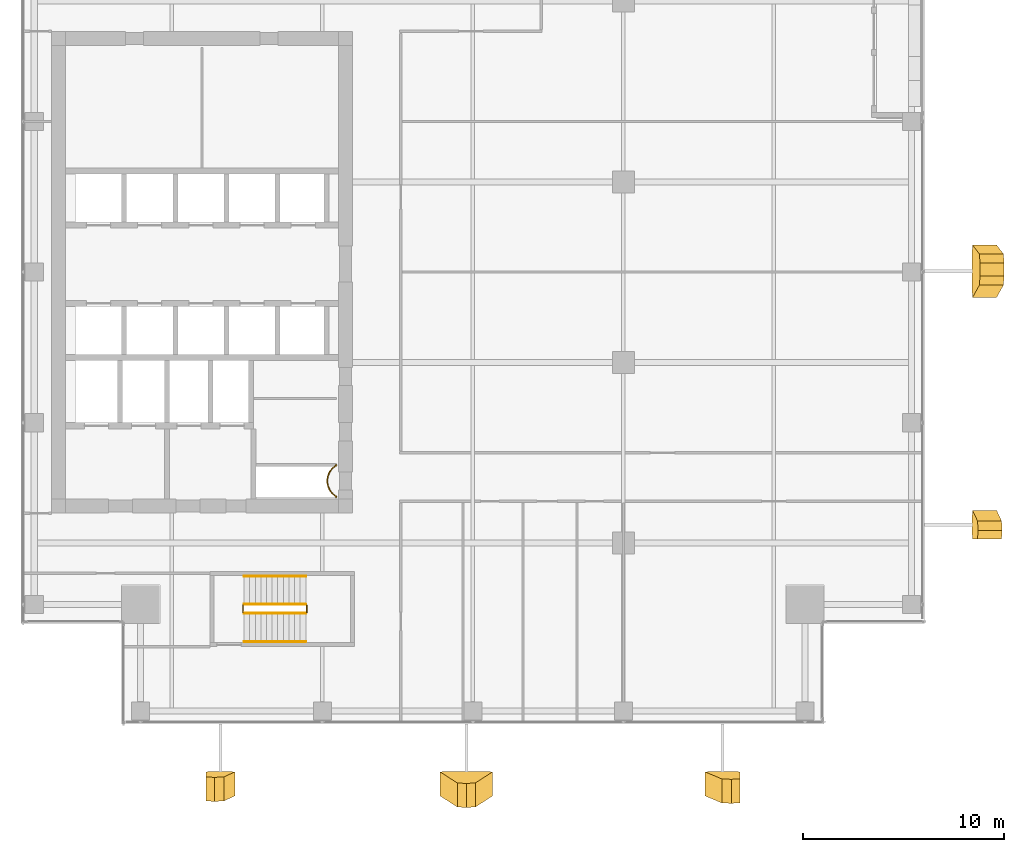
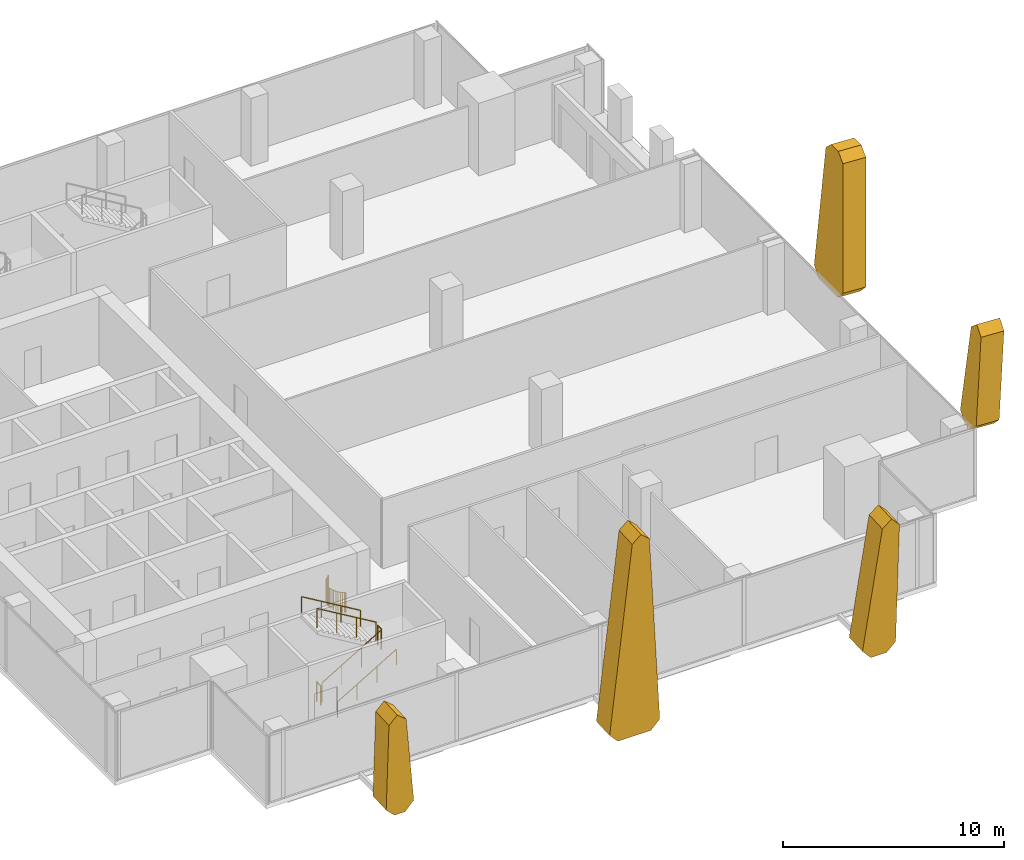
# One storey, part 33 of 35: 7 railings, 5 coverings.
"""IFC4 building model written with IfcOpenShell, lengths in metres."""

from ifc_helpers import new_model, si_unit, direction, frame, origin, origin_2d, place, context, subcontext, project, spatial, polyline, circle, outline, extrude, source, transform, mapped, material, layer, layer_set, type_object, element, save


model = new_model("IFC4")

# Units and contexts
model_context = context("Model", 3, precision=1e-05, world=origin(), true_north=direction((0.0, 1.0)))
body_context = subcontext(model_context, "Body", "Model", "MODEL_VIEW")
ifc_project = project(units=[si_unit("LENGTHUNIT", "METRE"), si_unit("AREAUNIT", "SQUARE_METRE"), si_unit("VOLUMEUNIT", "CUBIC_METRE"), si_unit("PLANEANGLEUNIT", "RADIAN"), si_unit("MASSUNIT", "GRAM", prefix="KILO")], contexts=[model_context])

# Site, building, storey
site_placement = place(None, origin())
site = spatial("IfcSite", under=ifc_project, at=site_placement, CompositionType="ELEMENT")
building_placement = place(site_placement, origin())
building = spatial("IfcBuilding", under=site, at=building_placement, Name="Khomas Fold Tower", CompositionType="ELEMENT")
storey_placement = place(building_placement, frame((0.0, 0.0, 250.199951171875)))
storey = spatial("IfcBuildingStorey", under=building, at=storey_placement, Name="L56", CompositionType="ELEMENT", Elevation=250.199951171875)

# Coverings
ifc_material_1 = material(Name="Natural stone cladding", Category="masonry")
ifc_layer = layer(ifc_material_1, 1.199951171875)
ifc_layer_set = layer_set([ifc_layer], Name="Natural stone cladding")
covering_type = type_object("IfcCoveringType", Name="SK-Karibib marble stone panel", PredefinedType="CLADDING", material=ifc_layer_set)
covering_1_placement = place(storey_placement, frame((14.124755859375, 1.83251953125, 5.723876953125), z_axis=(-6.0942444e-05, 0.998629593259, 0.052334804424), x_axis=(0.763395529203, 0.033851148544, -0.645043692889)))
element("IfcCovering", 1, at=covering_1_placement, inside=storey, type_object=covering_type, Name="OUTER SKIN leaf L56 SS03-1", PredefinedType="CLADDING", context=body_context, shape_type="SweptSolid", body=[
    extrude(outline(polyline([(0.0, 0.0), (0.6188300746228386, 0.0), (4.153694934603606, 3.337468506099035), (4.136004354928938, 4.008618161821389), (3.721504438682084, 4.359338679916604), (3.0869739094527624, 4.306010110684835), (-0.03356914570220959, 0.6179885289122368), (0.0, 0.0)])), origin(), (0.0, 0.0, -1.0), 1.199951171875),
])
covering_2_placement = place(storey_placement, frame((26.675048828125, 1.53076171875, 11.484375), z_axis=(0.0, 0.998630134861, 0.052324504282), x_axis=(0.734675060485, 0.035497946198, -0.677489816393)))
element("IfcCovering", 2, at=covering_2_placement, inside=storey, type_object=covering_type, Name="OUTER SKIN leaf L56 SS06-2", PredefinedType="CLADDING", context=body_context, shape_type="SweptSolid", body=[
    extrude(outline(polyline([(0.0, 0.0), (0.6104553594466284, 0.0), (8.432572768355886, 7.203291996337865), (8.433630118054408, 7.8655125874278875), (7.170010537703181, 9.032373665603561), (6.50996974752057, 8.978676509746673), (-0.048528081037460424, 0.6085234352331338), (0.0, 0.0)])), origin(), (0.0, 0.0, -1.0), 1.199951171875),
])
covering_3_placement = place(storey_placement, frame((39.8779296875, 1.735107421875, 7.583740234375), z_axis=(-5.105585e-06, 0.998630122, 0.052324749477), x_axis=(0.68447632082, 0.038150068445, -0.728036220606)))
element("IfcCovering", 3, at=covering_3_placement, inside=storey, type_object=covering_type, Name="OUTER SKIN leaf L56 SS09-3", PredefinedType="CLADDING", context=body_context, shape_type="SweptSolid", body=[
    extrude(outline(polyline([(0.0, 0.0), (0.6167037902908917, -5.551115123125783e-17), (5.496847089744517, 4.581867958790604), (5.517350373910657, 5.218305338223104), (4.945338057951865, 5.827555123842046), (4.270397482430372, 5.806365967917552), (-0.03755575784653964, 0.6154151031140961), (0.0, 0.0)])), origin(), (0.0, 0.0, -1.0), 1.199951171875),
])
covering_4_placement = place(storey_placement, frame((52.16748046875, 14.124755859375, 5.723876953125), z_axis=(-0.998629593259, -6.0942444e-05, 0.052334804424), x_axis=(-0.033851148544, 0.763395529203, -0.645043692889)))
element("IfcCovering", 4, at=covering_4_placement, inside=storey, type_object=covering_type, Name="OUTER SKIN leaf L56 ES03-1", PredefinedType="CLADDING", context=body_context, shape_type="SweptSolid", body=[
    extrude(outline(polyline([(0.0, 0.0), (0.6188300746228386, 0.0), (4.153694934603606, 3.337468506099035), (4.136004354928938, 4.008618161821389), (3.721504438682084, 4.359338679916604), (3.0869739094527624, 4.306010110684835), (-0.03356914570220959, 0.6179885289122368), (0.0, 0.0)])), origin(), (0.0, 0.0, -1.0), 1.199951171875),
])
covering_5_placement = place(storey_placement, frame((52.2412109375, 27.90087890625, 7.130615234375), z_axis=(-0.998629209789, -1.480905e-06, 0.052342156574), x_axis=(-0.052221105844, 0.067998880941, -0.996317774756)))
element("IfcCovering", 5, at=covering_5_placement, inside=storey, type_object=covering_type, Name="OUTER SKIN leaf L56 ES06-2", PredefinedType="CLADDING", context=body_context, shape_type="SweptSolid", body=[
    extrude(outline(polyline([(0.0, 0.0), (6.674483693267745, -1.1102230246251565e-16), (7.124209896965734, 0.48066804353103265), (7.007270415191673, 2.1964141224611273), (6.48508046947529, 2.609860802267622), (-0.11615640973611062, 1.5317797678649279), (-0.4930285275659321, 1.0570560421208348), (-0.4495663521990251, 0.4193752876292123), (0.0, 0.0)])), origin(), (0.0, 0.0, -1.0), 1.199951171875),
])

# Railings
ifc_material_2 = material(Name="Steel balustrade", Category="steel")
railing_type_1 = type_object("IfcRailingType", Name="Stair guard", PredefinedType="GUARDRAIL", material=ifc_material_2)
shared_shape_1 = source(origin(), body_context, "Body", "SweptSolid", [
    extrude(circle(Radius=0.02392578125, at=origin_2d()), frame((0.0, 0.0, 1.076171875), z_axis=(0.0, 1.0, 0.0), x_axis=(-1.0, 0.0, 0.0)), (0.0, 0.0, 1.0), 0.349853515625),
    extrude(circle(Radius=0.02099609375, at=origin_2d()), origin(), (0.0, 0.0, 1.0), 1.052001953125),
    extrude(circle(Radius=0.02099609375, at=origin_2d()), frame((0.0, 0.349853515625, 0.0)), (0.0, 0.0, 1.0), 1.052001953125),
])
for number, where, name in (
    (6, (18.72998046875, 10.050048828125, 2.0), "L56 ST2 stair guard 2"),
    (7, (15.550048828125, 10.050048828125, 0.0), "L56 ST2 stair guard 4"),
):
    element("IfcRailing", number, at=place(storey_placement, frame(where)), inside=storey, type_object=railing_type_1, Name=name, PredefinedType="GUARDRAIL", context=body_context, shape_type="MappedRepresentation", body=[
        mapped(shared_shape_1, transform((0.0, 0.0, 0.0))),
    ])
shared_shape_2 = source(origin(), body_context, "Body", "SweptSolid", [
    extrude(circle(Radius=0.02392578125, at=origin_2d()), frame((0.0, 0.0, 1.076171875), z_axis=(0.859290745958, 0.0, 0.51148745235), x_axis=(0.0, 1.0, 0.0)), (0.0, 0.0, 1.0), 3.584228515625),
    extrude(circle(Radius=0.02099609375, at=origin_2d()), origin(), (0.0, 0.0, 1.0), 1.052001953125),
    extrude(circle(Radius=0.02099609375, at=origin_2d()), frame((1.026611328125, 0.0, 0.611083984375)), (0.0, 0.0, 1.0), 1.052001953125),
    extrude(circle(Radius=0.02099609375, at=origin_2d()), frame((2.05322265625, 0.0, 1.22216796875)), (0.0, 0.0, 1.0), 1.052001953125),
    extrude(circle(Radius=0.02099609375, at=origin_2d()), frame((3.079833984375, 0.0, 1.833251953125)), (0.0, 0.0, 1.0), 1.052001953125),
])
railing_1_placement = place(storey_placement, frame((15.60009765625, 10.0, 0.166748046875)))
element("IfcRailing", 8, at=railing_1_placement, inside=storey, type_object=railing_type_1, Name="L56 ST2 stair guard 1", PredefinedType="GUARDRAIL", context=body_context, shape_type="MappedRepresentation", body=[
    mapped(shared_shape_2, transform((0.0, 0.0, 0.0))),
])
shared_shape_3 = source(origin(), body_context, "Body", "SweptSolid", [
    extrude(circle(Radius=0.02392578125, at=origin_2d()), frame((0.0, 0.0, 1.076171875), z_axis=(-0.859290745958, 0.0, 0.51148745235), x_axis=(0.0, -1.0, 0.0)), (0.0, 0.0, 1.0), 3.584228515625),
    extrude(circle(Radius=0.02099609375, at=origin_2d()), origin(), (0.0, 0.0, 1.0), 1.052001953125),
    extrude(circle(Radius=0.02099609375, at=origin_2d()), frame((-1.026611328125, 0.0, 0.611083984375)), (0.0, 0.0, 1.0), 1.052001953125),
    extrude(circle(Radius=0.02099609375, at=origin_2d()), frame((-2.05322265625, 0.0, 1.22216796875)), (0.0, 0.0, 1.0), 1.052001953125),
    extrude(circle(Radius=0.02099609375, at=origin_2d()), frame((-3.079833984375, 0.0, 1.833251953125)), (0.0, 0.0, 1.0), 1.052001953125),
])
railing_2_placement = place(storey_placement, frame((18.679931640625, 10.449951171875, 2.166748046875)))
element("IfcRailing", 9, at=railing_2_placement, inside=storey, type_object=railing_type_1, Name="L56 ST2 stair guard 3", PredefinedType="GUARDRAIL", context=body_context, shape_type="MappedRepresentation", body=[
    mapped(shared_shape_3, transform((0.0, 0.0, 0.0))),
])
ifc_material_3 = material(Name="Steel handrail", Category="steel")
railing_type_2 = type_object("IfcRailingType", Name="Stair handrail", PredefinedType="HANDRAIL", material=ifc_material_3)
shared_shape_4 = source(origin(), body_context, "Body", "SweptSolid", [
    extrude(circle(Radius=0.02392578125, at=origin_2d()), frame((0.0, 0.0, 0.8759765625), z_axis=(0.859290745958, 0.0, 0.51148745235), x_axis=(0.0, 1.0, 0.0)), (0.0, 0.0, 1.0), 3.584228515625),
    extrude(circle(Radius=0.02099609375, at=origin_2d()), origin(), (0.0, 0.0, 1.0), 0.851806640625),
    extrude(circle(Radius=0.02099609375, at=origin_2d()), frame((1.026611328125, 0.0, 0.611083984375)), (0.0, 0.0, 1.0), 0.851806640625),
    extrude(circle(Radius=0.02099609375, at=origin_2d()), frame((2.05322265625, 0.0, 1.22216796875)), (0.0, 0.0, 1.0), 0.851806640625),
    extrude(circle(Radius=0.02099609375, at=origin_2d()), frame((3.079833984375, 0.0, 1.833251953125)), (0.0, 0.0, 1.0), 0.851806640625),
])
railing_3_placement = place(storey_placement, frame((15.60009765625, 8.60009765625, 0.166748046875)))
element("IfcRailing", 10, at=railing_3_placement, inside=storey, type_object=railing_type_2, Name="L56 ST2 stair handrail 1", PredefinedType="HANDRAIL", context=body_context, shape_type="MappedRepresentation", body=[
    mapped(shared_shape_4, transform((0.0, 0.0, 0.0))),
])
shared_shape_5 = source(origin(), body_context, "Body", "SweptSolid", [
    extrude(circle(Radius=0.02392578125, at=origin_2d()), frame((0.0, 0.0, 0.8759765625), z_axis=(-0.859290745958, 0.0, 0.51148745235), x_axis=(0.0, -1.0, 0.0)), (0.0, 0.0, 1.0), 3.584228515625),
    extrude(circle(Radius=0.02099609375, at=origin_2d()), origin(), (0.0, 0.0, 1.0), 0.851806640625),
    extrude(circle(Radius=0.02099609375, at=origin_2d()), frame((-1.026611328125, 0.0, 0.611083984375)), (0.0, 0.0, 1.0), 0.851806640625),
    extrude(circle(Radius=0.02099609375, at=origin_2d()), frame((-2.05322265625, 0.0, 1.22216796875)), (0.0, 0.0, 1.0), 0.851806640625),
    extrude(circle(Radius=0.02099609375, at=origin_2d()), frame((-3.079833984375, 0.0, 1.833251953125)), (0.0, 0.0, 1.0), 0.851806640625),
])
railing_4_placement = place(storey_placement, frame((18.679931640625, 11.85009765625, 2.166748046875)))
element("IfcRailing", 11, at=railing_4_placement, inside=storey, type_object=railing_type_2, Name="L56 ST2 stair handrail 2", PredefinedType="HANDRAIL", context=body_context, shape_type="MappedRepresentation", body=[
    mapped(shared_shape_5, transform((0.0, 0.0, 0.0))),
])
ifc_material_4 = material(Name="Steel balustrade", Category="steel")
railing_type_3 = type_object("IfcRailingType", Name="Shaft guard", PredefinedType="GUARDRAIL", material=ifc_material_4)
shared_shape_6 = source(origin(), body_context, "Body", "SweptSolid", [
    extrude(circle(Radius=0.02490234375, at=origin_2d()), frame((0.0, 0.0, 1.0751953125), z_axis=(1.0, 0.0, 0.0), x_axis=(0.0, 1.0, 0.0)), (0.0, 0.0, 1.0), 0.02197265625),
    extrude(circle(Radius=0.02490234375, at=origin_2d()), frame((0.02197265625, 0.0, 1.0751953125), z_axis=(0.0, -1.0, 0.0), x_axis=(1.0, 0.0, 0.0)), (0.0, 0.0, 1.0), 0.021484375),
    extrude(circle(Radius=0.02490234375, at=origin_2d()), frame((0.02197265625, -0.021484375, 1.0751953125), z_axis=(-0.857492925713, -0.514495755428, 0.0), x_axis=(0.514495755428, -0.857492925713, 0.0)), (0.0, 0.0, 1.0), 0.058349609375),
    extrude(circle(Radius=0.02490234375, at=origin_2d()), frame((-0.028076171875, -0.051513671875, 1.0751953125), z_axis=(-0.801986734315, -0.597341843489, 0.0), x_axis=(0.597341843489, -0.801986734315, 0.0)), (0.0, 0.0, 1.0), 0.08837890625),
    extrude(circle(Radius=0.02490234375, at=origin_2d()), frame((-0.098876953125, -0.104248046875, 1.0751953125), z_axis=(-0.740814996175, -0.671709119666, 0.0), x_axis=(0.671709119666, -0.740814996175, 0.0)), (0.0, 0.0, 1.0), 0.08837890625),
    extrude(circle(Radius=0.02490234375, at=origin_2d()), frame((-0.164306640625, -0.16357421875, 1.0751953125), z_axis=(-0.671709119666, -0.740814996175, 0.0), x_axis=(0.740814996175, -0.671709119666, 0.0)), (0.0, 0.0, 1.0), 0.08837890625),
    extrude(circle(Radius=0.02490234375, at=origin_2d()), frame((-0.2236328125, -0.22900390625, 1.0751953125), z_axis=(-0.597341843489, -0.801986734315, 0.0), x_axis=(0.801986734315, -0.597341843489, 0.0)), (0.0, 0.0, 1.0), 0.08837890625),
    extrude(circle(Radius=0.02490234375, at=origin_2d()), frame((-0.2763671875, -0.2998046875, 1.0751953125), z_axis=(-0.514495755428, -0.857492925713, 0.0), x_axis=(0.857492925713, -0.514495755428, 0.0)), (0.0, 0.0, 1.0), 0.08837890625),
    extrude(circle(Radius=0.02490234375, at=origin_2d()), frame((-0.32177734375, -0.37548828125, 1.0751953125), z_axis=(-0.424999439989, -0.905193612444, 0.0), x_axis=(0.905193612444, -0.424999439989, 0.0)), (0.0, 0.0, 1.0), 0.08837890625),
    extrude(circle(Radius=0.02490234375, at=origin_2d()), frame((-0.359375, -0.45556640625, 1.0751953125), z_axis=(-0.337738989679, -0.941239807302, 0.0), x_axis=(0.941239807302, -0.337738989679, 0.0)), (0.0, 0.0, 1.0), 0.088134765625),
    extrude(circle(Radius=0.02490234375, at=origin_2d()), frame((-0.38916015625, -0.53857421875, 1.0751953125), z_axis=(-0.243185799972, -0.969979724887, 0.0), x_axis=(0.969979724887, -0.243185799972, 0.0)), (0.0, 0.0, 1.0), 0.08837890625),
    extrude(circle(Radius=0.02490234375, at=origin_2d()), frame((-0.41064453125, -0.624267578125, 1.0751953125), z_axis=(-0.146448518259, -0.989218293148, 0.0), x_axis=(0.989218293148, -0.146448518259, 0.0)), (0.0, 0.0, 1.0), 0.08837890625),
    extrude(circle(Radius=0.02490234375, at=origin_2d()), frame((-0.423583984375, -0.711669921875, 1.0751953125), z_axis=(-0.049799629132, -0.998759228712, 0.0), x_axis=(0.998759228712, -0.049799629132, 0.0)), (0.0, 0.0, 1.0), 0.088134765625),
    extrude(circle(Radius=0.02490234375, at=origin_2d()), frame((-0.427978515625, -0.7998046875, 1.0751953125), z_axis=(0.049662400856, -0.998766061669, 0.0), x_axis=(0.998766061669, 0.049662400856, 0.0)), (0.0, 0.0, 1.0), 0.08837890625),
    extrude(circle(Radius=0.02490234375, at=origin_2d()), frame((-0.423583984375, -0.88818359375, 1.0751953125), z_axis=(0.146448518259, -0.989218293148, 0.0), x_axis=(0.989218293148, 0.146448518259, 0.0)), (0.0, 0.0, 1.0), 0.08837890625),
    extrude(circle(Radius=0.02490234375, at=origin_2d()), frame((-0.41064453125, -0.9755859375, 1.0751953125), z_axis=(0.243185799972, -0.969979724887, 0.0), x_axis=(0.969979724887, 0.243185799972, 0.0)), (0.0, 0.0, 1.0), 0.08837890625),
    extrude(circle(Radius=0.02490234375, at=origin_2d()), frame((-0.38916015625, -1.061279296875, 1.0751953125), z_axis=(0.337738989679, -0.941239807302, 0.0), x_axis=(0.941239807302, 0.337738989679, 0.0)), (0.0, 0.0, 1.0), 0.088134765625),
    extrude(circle(Radius=0.02490234375, at=origin_2d()), frame((-0.359375, -1.144287109375, 1.0751953125), z_axis=(0.426063493689, -0.904693262573, 0.0), x_axis=(0.904693262573, 0.426063493689, 0.0)), (0.0, 0.0, 1.0), 0.088134765625),
    extrude(circle(Radius=0.02490234375, at=origin_2d()), frame((-0.32177734375, -1.22412109375, 1.0751953125), z_axis=(0.514495755428, -0.857492925713, 0.0), x_axis=(0.857492925713, 0.514495755428, 0.0)), (0.0, 0.0, 1.0), 0.08837890625),
    extrude(circle(Radius=0.02490234375, at=origin_2d()), frame((-0.2763671875, -1.2998046875, 1.0751953125), z_axis=(0.596019138224, -0.802970227885, 0.0), x_axis=(0.802970227885, 0.596019138224, 0.0)), (0.0, 0.0, 1.0), 0.08837890625),
    extrude(circle(Radius=0.02490234375, at=origin_2d()), frame((-0.2236328125, -1.370849609375, 1.0751953125), z_axis=(0.671709119666, -0.740814996175, 0.0), x_axis=(0.740814996175, 0.671709119666, 0.0)), (0.0, 0.0, 1.0), 0.08837890625),
    extrude(circle(Radius=0.02490234375, at=origin_2d()), frame((-0.164306640625, -1.436279296875, 1.0751953125), z_axis=(0.740814996175, -0.671709119666, 0.0), x_axis=(0.671709119666, 0.740814996175, 0.0)), (0.0, 0.0, 1.0), 0.08837890625),
    extrude(circle(Radius=0.02490234375, at=origin_2d()), frame((-0.098876953125, -1.49560546875, 1.0751953125), z_axis=(0.803311771616, -0.595558727233, 0.0), x_axis=(0.595558727233, 0.803311771616, 0.0)), (0.0, 0.0, 1.0), 0.088134765625),
    extrude(circle(Radius=0.02490234375, at=origin_2d()), frame((-0.028076171875, -1.548095703125, 1.0751953125), z_axis=(0.857492925713, -0.514495755428, 0.0), x_axis=(0.514495755428, 0.857492925713, 0.0)), (0.0, 0.0, 1.0), 0.058349609375),
    extrude(circle(Radius=0.02490234375, at=origin_2d()), frame((0.02197265625, -1.578125, 1.0751953125), z_axis=(0.0, -1.0, 0.0), x_axis=(1.0, 0.0, 0.0)), (0.0, 0.0, 1.0), 0.021728515625),
    extrude(circle(Radius=0.02490234375, at=origin_2d()), frame((0.02197265625, -1.599853515625, 1.0751953125), z_axis=(-1.0, 0.0, 0.0), x_axis=(0.0, -1.0, 0.0)), (0.0, 0.0, 1.0), 0.02197265625),
    extrude(circle(Radius=0.02001953125, at=origin_2d()), origin(), (0.0, 0.0, 1.0), 1.050048828125),
    extrude(circle(Radius=0.02001953125, at=origin_2d()), frame((0.02197265625, 0.0, 0.0)), (0.0, 0.0, 1.0), 1.050048828125),
    extrude(circle(Radius=0.02001953125, at=origin_2d()), frame((0.02197265625, -0.021484375, 0.0)), (0.0, 0.0, 1.0), 1.050048828125),
    extrude(circle(Radius=0.02001953125, at=origin_2d()), frame((-0.028076171875, -0.051513671875, 0.0)), (0.0, 0.0, 1.0), 1.050048828125),
    extrude(circle(Radius=0.02001953125, at=origin_2d()), frame((-0.098876953125, -0.104248046875, 0.0)), (0.0, 0.0, 1.0), 1.050048828125),
    extrude(circle(Radius=0.02001953125, at=origin_2d()), frame((-0.164306640625, -0.16357421875, 0.0)), (0.0, 0.0, 1.0), 1.050048828125),
    extrude(circle(Radius=0.02001953125, at=origin_2d()), frame((-0.2236328125, -0.22900390625, 0.0)), (0.0, 0.0, 1.0), 1.050048828125),
    extrude(circle(Radius=0.02001953125, at=origin_2d()), frame((-0.2763671875, -0.2998046875, 0.0)), (0.0, 0.0, 1.0), 1.050048828125),
    extrude(circle(Radius=0.02001953125, at=origin_2d()), frame((-0.32177734375, -0.37548828125, 0.0)), (0.0, 0.0, 1.0), 1.050048828125),
    extrude(circle(Radius=0.02001953125, at=origin_2d()), frame((-0.359375, -0.45556640625, 0.0)), (0.0, 0.0, 1.0), 1.050048828125),
    extrude(circle(Radius=0.02001953125, at=origin_2d()), frame((-0.38916015625, -0.53857421875, 0.0)), (0.0, 0.0, 1.0), 1.050048828125),
    extrude(circle(Radius=0.02001953125, at=origin_2d()), frame((-0.41064453125, -0.624267578125, 0.0)), (0.0, 0.0, 1.0), 1.050048828125),
    extrude(circle(Radius=0.02001953125, at=origin_2d()), frame((-0.423583984375, -0.711669921875, 0.0)), (0.0, 0.0, 1.0), 1.050048828125),
    extrude(circle(Radius=0.02001953125, at=origin_2d()), frame((-0.427978515625, -0.7998046875, 0.0)), (0.0, 0.0, 1.0), 1.050048828125),
    extrude(circle(Radius=0.02001953125, at=origin_2d()), frame((-0.423583984375, -0.88818359375, 0.0)), (0.0, 0.0, 1.0), 1.050048828125),
    extrude(circle(Radius=0.02001953125, at=origin_2d()), frame((-0.41064453125, -0.9755859375, 0.0)), (0.0, 0.0, 1.0), 1.050048828125),
    extrude(circle(Radius=0.02001953125, at=origin_2d()), frame((-0.38916015625, -1.061279296875, 0.0)), (0.0, 0.0, 1.0), 1.050048828125),
    extrude(circle(Radius=0.02001953125, at=origin_2d()), frame((-0.359375, -1.144287109375, 0.0)), (0.0, 0.0, 1.0), 1.050048828125),
    extrude(circle(Radius=0.02001953125, at=origin_2d()), frame((-0.32177734375, -1.22412109375, 0.0)), (0.0, 0.0, 1.0), 1.050048828125),
    extrude(circle(Radius=0.02001953125, at=origin_2d()), frame((-0.2763671875, -1.2998046875, 0.0)), (0.0, 0.0, 1.0), 1.050048828125),
    extrude(circle(Radius=0.02001953125, at=origin_2d()), frame((-0.2236328125, -1.370849609375, 0.0)), (0.0, 0.0, 1.0), 1.050048828125),
    extrude(circle(Radius=0.02001953125, at=origin_2d()), frame((-0.164306640625, -1.436279296875, 0.0)), (0.0, 0.0, 1.0), 1.050048828125),
    extrude(circle(Radius=0.02001953125, at=origin_2d()), frame((-0.098876953125, -1.49560546875, 0.0)), (0.0, 0.0, 1.0), 1.050048828125),
    extrude(circle(Radius=0.02001953125, at=origin_2d()), frame((-0.028076171875, -1.548095703125, 0.0)), (0.0, 0.0, 1.0), 1.050048828125),
    extrude(circle(Radius=0.02001953125, at=origin_2d()), frame((0.02197265625, -1.578125, 0.0)), (0.0, 0.0, 1.0), 1.050048828125),
    extrude(circle(Radius=0.02001953125, at=origin_2d()), frame((0.02197265625, -1.599853515625, 0.0)), (0.0, 0.0, 1.0), 1.050048828125),
    extrude(circle(Radius=0.02001953125, at=origin_2d()), frame((0.0, -1.599853515625, 0.0)), (0.0, 0.0, 1.0), 1.050048828125),
])
railing_5_placement = place(storey_placement, frame((20.177978515625, 17.39990234375, 0.0)))
element("IfcRailing", 12, at=railing_5_placement, inside=storey, type_object=railing_type_3, Name="Shaft guard L56 1", PredefinedType="GUARDRAIL", context=body_context, shape_type="MappedRepresentation", body=[
    mapped(shared_shape_6, transform((0.0, 0.0, 0.0))),
])

save(model, "model.ifc")
